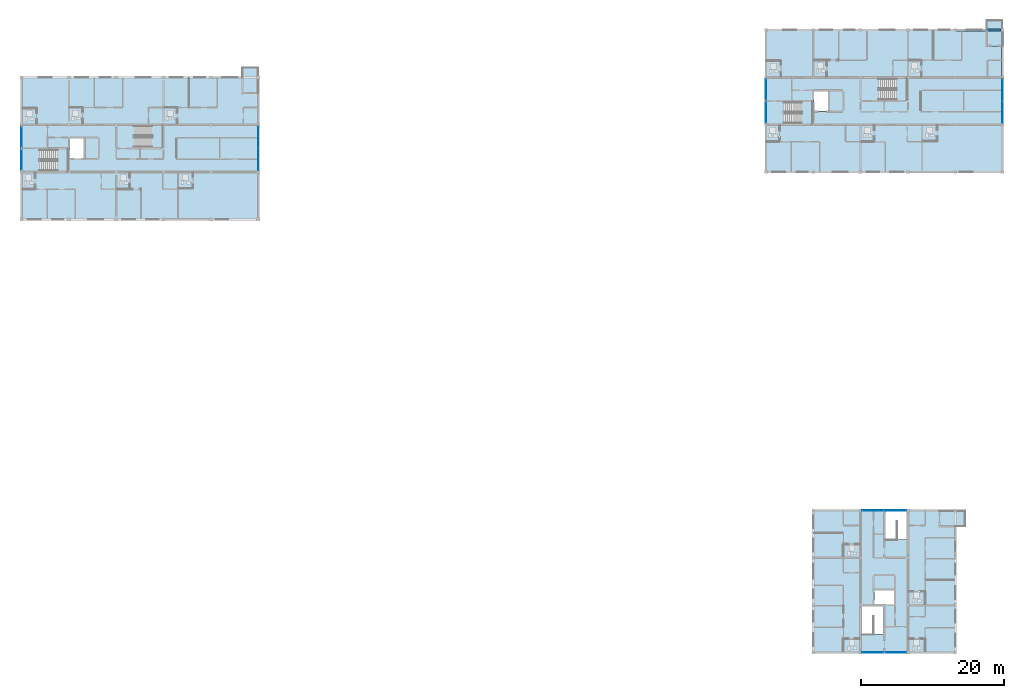
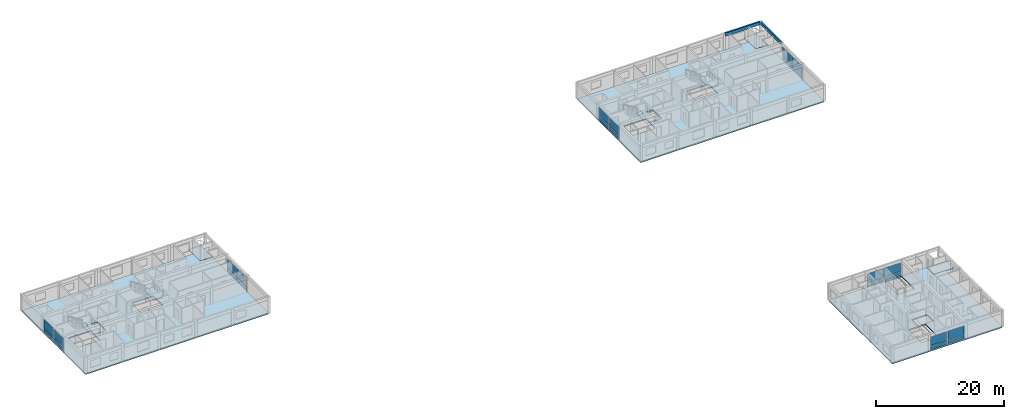
# One storey, part 16 of 34: 24 plates, 10 slabs, 2 beams, 13 elements without a shape of their own.
"""IFC4 building model written with IfcOpenShell, lengths in metres."""

from ifc_helpers import new_model, si_unit, direction, frame, origin, origin_2d, place, context, subcontext, project, spatial, polyline, rectangle, outline, extrude, material, layer, layer_set, material_profile, profile_set, type_object, element, aggregate, save


model = new_model("IFC4")

# Units and contexts
model_context = context("Model", 3, precision=1e-05, world=origin(), true_north=direction((0.0, 1.0)))
body_context = subcontext(model_context, "Body", "Model", "MODEL_VIEW")
ifc_project = project(units=[si_unit("LENGTHUNIT", "METRE"), si_unit("AREAUNIT", "SQUARE_METRE"), si_unit("VOLUMEUNIT", "CUBIC_METRE"), si_unit("PLANEANGLEUNIT", "RADIAN"), si_unit("MASSUNIT", "GRAM", prefix="KILO")], contexts=[model_context])

# Site, building, storey
site_placement = place(None, origin())
site = spatial("IfcSite", under=ifc_project, at=site_placement, CompositionType="ELEMENT")
building_placement = place(site_placement, origin())
building = spatial("IfcBuilding", under=site, at=building_placement, Name="Kernevlak Ridge Housing Community", CompositionType="ELEMENT")
storey_placement = place(building_placement, frame((0.0, 0.0, 40.39990234375)))
storey = spatial("IfcBuildingStorey", under=building, at=storey_placement, Name="L12", CompositionType="ELEMENT", Elevation=40.39990234375)

# Beams
ifc_material_1 = material(Name="Concrete C35/45", Category="concrete")
ifc_material_profile_1 = material_profile(ifc_material_1, rectangle(XDim=0.300048828125, YDim=0.550048828125, at=origin_2d()), Name="RC 300x550")
ifc_profile_set_1 = profile_set([ifc_material_profile_1], Name="Concrete C35/45")
beam_type_1 = type_object("IfcBeamType", Name="SP-01", PredefinedType="SPANDREL", material=ifc_profile_set_1)
beam_1_placement = place(storey_placement, frame((152.39990234375, 96.0, 2.925048828125), z_axis=(0.0, 1.0, 0.0), x_axis=(-1.0, 0.0, 0.0)))
element("IfcBeam", 1, at=beam_1_placement, inside=storey, type_object=beam_type_1, Name="Beam SP-01 L12 914", PredefinedType="SPANDREL", context=body_context, shape_type="SweptSolid", body=[
    extrude(rectangle(XDim=0.300048828125, YDim=0.550048828125, at=origin_2d()), origin(), (0.0, 0.0, 1.0), 6.199951171875),
])
ifc_material_profile_2 = material_profile(ifc_material_1, rectangle(XDim=0.300048828125, YDim=0.60009765625, at=origin_2d()), Name="RC 300x600")
ifc_profile_set_2 = profile_set([ifc_material_profile_2], Name="Concrete C35/45")
beam_type_2 = type_object("IfcBeamType", Name="SP-02", PredefinedType="SPANDREL", material=ifc_profile_set_2)
beam_2_placement = place(storey_placement, frame((146.0, 102.39990234375, 2.900146484375), z_axis=(1.0, 0.0, 0.0), x_axis=(0.0, 1.0, 0.0)))
element("IfcBeam", 2, at=beam_2_placement, inside=storey, type_object=beam_type_2, Name="Beam SP-02 L12 908", PredefinedType="SPANDREL", context=body_context, shape_type="SweptSolid", body=[
    extrude(rectangle(XDim=0.300048828125, YDim=0.60009765625, at=origin_2d()), origin(), (0.0, 0.0, 1.0), 6.199951171875),
])

# Curtain wall, plate
ifc_material_2 = material(Name="Aluminium EN AW-6060 anodised and laminated glass", Category="aluminium")
curtain_wall_type_1 = type_object("IfcCurtainWallType", Name="CW-01", PredefinedType="NOTDEFINED", material=ifc_material_2)
curtain_wall_1_placement = place(storey_placement, origin())
curtain_wall_1 = element("IfcCurtainWall", 3, at=curtain_wall_1_placement, inside=storey, type_object=curtain_wall_type_1, Name="Curtain wall CW-01 CW-L12-037", PredefinedType="NOTDEFINED")
ifc_material_3 = material(Name="Solar-control double glazing glass", Category="glass")
ifc_layer_1 = layer(ifc_material_3, 0.02392578125, Name="Solar-control double glazing glass")
ifc_layer_set_1 = layer_set([ifc_layer_1], Name="Solar-control double glazing glass")
plate_type_1 = type_object("IfcPlateType", Name="CP-01", PredefinedType="CURTAIN_PANEL", material=ifc_layer_set_1)
plate_1_placement = place(storey_placement, frame((15.60009765625, 84.3076171875, 0.88037109375), z_axis=(0.0, 0.0, 1.0), x_axis=(0.0, 1.0, 0.0)))
plate_1 = element("IfcPlate", 4, at=plate_1_placement, type_object=plate_type_1, Name="CW-01 panel 1.2", PredefinedType="CURTAIN_PANEL", context=body_context, shape_type="SweptSolid", body=[
    extrude(rectangle(XDim=2.844970703125, YDim=0.02392578125, at=origin_2d()), origin(), (0.0, 0.0, 1.0), 1.659912109375),
])

curtain_wall_type_2 = type_object("IfcCurtainWallType", Name="CW-07", PredefinedType="NOTDEFINED", material=ifc_material_2)
curtain_wall_2_placement = place(storey_placement, origin())
curtain_wall_2 = element("IfcCurtainWall", 5, at=curtain_wall_2_placement, inside=storey, type_object=curtain_wall_type_2, Name="Curtain wall CW-07 CW-L12-038", PredefinedType="NOTDEFINED")
plate_2_placement = place(storey_placement, frame((15.60009765625, 87.492431640625, 0.88232421875), z_axis=(0.0, 0.0, 1.0), x_axis=(0.0, 1.0, 0.0)))
plate_2 = element("IfcPlate", 6, at=plate_2_placement, type_object=plate_type_1, Name="CW-07 panel 1.2", PredefinedType="CURTAIN_PANEL", context=body_context, shape_type="SweptSolid", body=[
    extrude(rectangle(XDim=2.8349609375, YDim=0.02392578125, at=origin_2d()), origin(), (0.0, 0.0, 1.0), 1.652587890625),
])

# Curtain wall, plates
curtain_wall_type_3 = type_object("IfcCurtainWallType", Name="CW-10", PredefinedType="NOTDEFINED", material=ifc_material_2)
curtain_wall_3_placement = place(storey_placement, origin())
curtain_wall_3 = element("IfcCurtainWall", 7, at=curtain_wall_3_placement, inside=storey, type_object=curtain_wall_type_3, Name="Curtain wall CW-10 CW-L12-039", PredefinedType="NOTDEFINED")
plate_3_placement = place(storey_placement, frame((48.60009765625, 84.376220703125, 0.877685546875), z_axis=(0.0, 0.0, 1.0), x_axis=(0.0, 1.0, 0.0)))
plate_3 = element("IfcPlate", 8, at=plate_3_placement, type_object=plate_type_1, Name="CW-10 panel 1.2", PredefinedType="CURTAIN_PANEL", context=body_context, shape_type="SweptSolid", body=[
    extrude(rectangle(XDim=2.992431640625, YDim=0.02392578125, at=origin_2d()), origin(), (0.0, 0.0, 1.0), 1.66748046875),
])
plate_4_placement = place(storey_placement, frame((48.60009765625, 87.423828125, 0.877685546875), z_axis=(0.0, 0.0, 1.0), x_axis=(0.0, 1.0, 0.0)))
plate_4 = element("IfcPlate", 9, at=plate_4_placement, type_object=plate_type_1, Name="CW-10 panel 2.2", PredefinedType="CURTAIN_PANEL", context=body_context, shape_type="SweptSolid", body=[
    extrude(rectangle(XDim=2.992431640625, YDim=0.02392578125, at=origin_2d()), origin(), (0.0, 0.0, 1.0), 1.66748046875),
])

# Curtain wall, plate
curtain_wall_type_4 = type_object("IfcCurtainWallType", Name="CW-04", PredefinedType="NOTDEFINED", material=ifc_material_2)
curtain_wall_4_placement = place(storey_placement, origin())
curtain_wall_4 = element("IfcCurtainWall", 10, at=curtain_wall_4_placement, inside=storey, type_object=curtain_wall_type_4, Name="Curtain wall CW-04 CW-L12-091", PredefinedType="NOTDEFINED")
plate_5_placement = place(storey_placement, frame((119.39990234375, 90.89501953125, 0.88037109375), z_axis=(0.0, 0.0, 1.0), x_axis=(0.0, 1.0, 0.0)))
plate_5 = element("IfcPlate", 11, at=plate_5_placement, type_object=plate_type_1, Name="CW-04 panel 1.2", PredefinedType="CURTAIN_PANEL", context=body_context, shape_type="SweptSolid", body=[
    extrude(rectangle(XDim=2.8701171875, YDim=0.02392578125, at=origin_2d()), origin(), (0.0, 0.0, 1.0), 1.659912109375),
])

curtain_wall_5_placement = place(storey_placement, origin())
curtain_wall_5 = element("IfcCurtainWall", 12, at=curtain_wall_5_placement, inside=storey, type_object=curtain_wall_type_3, Name="Curtain wall CW-10 CW-L12-092", PredefinedType="NOTDEFINED")
plate_6_placement = place(storey_placement, frame((119.39990234375, 94.10498046875, 0.88232421875), z_axis=(0.0, 0.0, 1.0), x_axis=(0.0, 1.0, 0.0)))
plate_6 = element("IfcPlate", 13, at=plate_6_placement, type_object=plate_type_1, Name="CW-10 panel 1.2", PredefinedType="CURTAIN_PANEL", context=body_context, shape_type="SweptSolid", body=[
    extrude(rectangle(XDim=2.860107421875, YDim=0.02392578125, at=origin_2d()), origin(), (0.0, 0.0, 1.0), 1.652587890625),
])

# Curtain wall, plates
curtain_wall_type_5 = type_object("IfcCurtainWallType", Name="CW-12", PredefinedType="NOTDEFINED", material=ifc_material_2)
curtain_wall_6_placement = place(storey_placement, origin())
curtain_wall_6 = element("IfcCurtainWall", 14, at=curtain_wall_6_placement, inside=storey, type_object=curtain_wall_type_5, Name="Curtain wall CW-12 CW-L12-093", PredefinedType="NOTDEFINED")
plate_7_placement = place(storey_placement, frame((152.39990234375, 90.9638671875, 0.877685546875), z_axis=(0.0, 0.0, 1.0), x_axis=(0.0, 1.0, 0.0)))
plate_7 = element("IfcPlate", 15, at=plate_7_placement, type_object=plate_type_1, Name="CW-12 panel 1.2", PredefinedType="CURTAIN_PANEL", context=body_context, shape_type="SweptSolid", body=[
    extrude(rectangle(XDim=3.017578125, YDim=0.02392578125, at=origin_2d()), origin(), (0.0, 0.0, 1.0), 1.66748046875),
])
plate_8_placement = place(storey_placement, frame((152.39990234375, 94.0361328125, 0.877685546875), z_axis=(0.0, 0.0, 1.0), x_axis=(0.0, 1.0, 0.0)))
plate_8 = element("IfcPlate", 16, at=plate_8_placement, type_object=plate_type_1, Name="CW-12 panel 2.2", PredefinedType="CURTAIN_PANEL", context=body_context, shape_type="SweptSolid", body=[
    extrude(rectangle(XDim=3.017578125, YDim=0.02392578125, at=origin_2d()), origin(), (0.0, 0.0, 1.0), 1.66748046875),
])

# Curtain wall, plate
curtain_wall_7_placement = place(storey_placement, origin())
curtain_wall_7 = element("IfcCurtainWall", 17, at=curtain_wall_7_placement, inside=storey, type_object=curtain_wall_type_2, Name="Curtain wall CW-07 CW-L12-136", PredefinedType="NOTDEFINED")
plate_9_placement = place(storey_placement, frame((134.294921875, 15.60009765625, 0.88037109375), z_axis=(0.0, 0.0, 1.0), x_axis=(1.0, 0.0, 0.0)))
plate_9 = element("IfcPlate", 18, at=plate_9_placement, type_object=plate_type_1, Name="CW-07 panel 1.2", PredefinedType="CURTAIN_PANEL", context=body_context, shape_type="SweptSolid", body=[
    extrude(rectangle(XDim=2.8701171875, YDim=0.02392578125, at=origin_2d()), origin(), (0.0, 0.0, 1.0), 1.659912109375),
])

curtain_wall_type_6 = type_object("IfcCurtainWallType", Name="CW-13", PredefinedType="NOTDEFINED", material=ifc_material_2)
curtain_wall_8_placement = place(storey_placement, origin())
curtain_wall_8 = element("IfcCurtainWall", 19, at=curtain_wall_8_placement, inside=storey, type_object=curtain_wall_type_6, Name="Curtain wall CW-13 CW-L12-137", PredefinedType="NOTDEFINED")
plate_10_placement = place(storey_placement, frame((137.5048828125, 15.60009765625, 0.88232421875), z_axis=(0.0, 0.0, 1.0), x_axis=(1.0, 0.0, 0.0)))
plate_10 = element("IfcPlate", 20, at=plate_10_placement, type_object=plate_type_1, Name="CW-13 panel 1.2", PredefinedType="CURTAIN_PANEL", context=body_context, shape_type="SweptSolid", body=[
    extrude(rectangle(XDim=2.860107421875, YDim=0.02392578125, at=origin_2d()), origin(), (0.0, 0.0, 1.0), 1.652587890625),
])

# Curtain wall, plates
curtain_wall_type_7 = type_object("IfcCurtainWallType", Name="CW-14", PredefinedType="NOTDEFINED", material=ifc_material_2)
curtain_wall_9_placement = place(storey_placement, origin())
curtain_wall_9 = element("IfcCurtainWall", 21, at=curtain_wall_9_placement, inside=storey, type_object=curtain_wall_type_7, Name="Curtain wall CW-14 CW-L12-138", PredefinedType="NOTDEFINED")
plate_11_placement = place(storey_placement, frame((134.36376953125, 35.39990234375, 0.877685546875), z_axis=(0.0, 0.0, 1.0), x_axis=(1.0, 0.0, 0.0)))
plate_11 = element("IfcPlate", 22, at=plate_11_placement, type_object=plate_type_1, Name="CW-14 panel 1.2", PredefinedType="CURTAIN_PANEL", context=body_context, shape_type="SweptSolid", body=[
    extrude(rectangle(XDim=3.017578125, YDim=0.02392578125, at=origin_2d()), origin(), (0.0, 0.0, 1.0), 1.66748046875),
])
plate_12_placement = place(storey_placement, frame((137.436279296875, 35.39990234375, 0.877685546875), z_axis=(0.0, 0.0, 1.0), x_axis=(1.0, 0.0, 0.0)))
plate_12 = element("IfcPlate", 23, at=plate_12_placement, type_object=plate_type_1, Name="CW-14 panel 2.2", PredefinedType="CURTAIN_PANEL", context=body_context, shape_type="SweptSolid", body=[
    extrude(rectangle(XDim=3.017578125, YDim=0.02392578125, at=origin_2d()), origin(), (0.0, 0.0, 1.0), 1.66748046875),
])

# Plate
ifc_material_4 = material(Name="Aluminium EN AW-5005 enamelled panel", Category="aluminium")
ifc_layer_2 = layer(ifc_material_4, 0.033935546875, Name="Aluminium EN AW-5005 enamelled panel")
ifc_layer_set_2 = layer_set([ifc_layer_2], Name="Aluminium EN AW-5005 enamelled panel")
plate_type_2 = type_object("IfcPlateType", Name="CP-03", PredefinedType="CURTAIN_PANEL", material=ifc_layer_set_2)
plate_13_placement = place(storey_placement, frame((48.60009765625, 84.376220703125, 0.05517578125), z_axis=(0.0, 0.0, 1.0), x_axis=(0.0, 1.0, 0.0)))
plate_13 = element("IfcPlate", 24, at=plate_13_placement, type_object=plate_type_2, Name="CW-10 panel 1.1", PredefinedType="CURTAIN_PANEL", context=body_context, shape_type="SweptSolid", body=[
    extrude(rectangle(XDim=2.992431640625, YDim=0.033935546875, at=origin_2d()), origin(), (0.0, 0.0, 1.0), 0.767578125),
])

plate_14_placement = place(storey_placement, frame((48.60009765625, 87.423828125, 0.05517578125), z_axis=(0.0, 0.0, 1.0), x_axis=(0.0, 1.0, 0.0)))
plate_14 = element("IfcPlate", 25, at=plate_14_placement, type_object=plate_type_2, Name="CW-10 panel 2.1", PredefinedType="CURTAIN_PANEL", context=body_context, shape_type="SweptSolid", body=[
    extrude(rectangle(XDim=2.992431640625, YDim=0.033935546875, at=origin_2d()), origin(), (0.0, 0.0, 1.0), 0.767578125),
])

aggregate(curtain_wall_3, [plate_13, plate_3, plate_14, plate_4])

plate_15_placement = place(storey_placement, frame((119.39990234375, 94.10498046875, 0.065185546875), z_axis=(0.0, 0.0, 1.0), x_axis=(0.0, 1.0, 0.0)))
plate_15 = element("IfcPlate", 26, at=plate_15_placement, type_object=plate_type_2, Name="CW-10 panel 1.1", PredefinedType="CURTAIN_PANEL", context=body_context, shape_type="SweptSolid", body=[
    extrude(rectangle(XDim=2.860107421875, YDim=0.033935546875, at=origin_2d()), origin(), (0.0, 0.0, 1.0), 0.75244140625),
])

aggregate(curtain_wall_5, [plate_15, plate_6])

plate_16_placement = place(storey_placement, frame((134.294921875, 15.60009765625, 0.06005859375), z_axis=(0.0, 0.0, 1.0), x_axis=(1.0, 0.0, 0.0)))
plate_16 = element("IfcPlate", 27, at=plate_16_placement, type_object=plate_type_2, Name="CW-07 panel 1.1", PredefinedType="CURTAIN_PANEL", context=body_context, shape_type="SweptSolid", body=[
    extrude(rectangle(XDim=2.8701171875, YDim=0.033935546875, at=origin_2d()), origin(), (0.0, 0.0, 1.0), 0.760009765625),
])

aggregate(curtain_wall_7, [plate_16, plate_9])

ifc_layer_3 = layer(ifc_material_4, 0.0380859375, Name="Aluminium EN AW-5005 enamelled panel")
ifc_layer_set_3 = layer_set([ifc_layer_3], Name="Aluminium EN AW-5005 enamelled panel")
plate_type_3 = type_object("IfcPlateType", Name="CP-04", PredefinedType="CURTAIN_PANEL", material=ifc_layer_set_3)
plate_17_placement = place(storey_placement, frame((152.39990234375, 90.9638671875, 0.05517578125), z_axis=(0.0, 0.0, 1.0), x_axis=(0.0, 1.0, 0.0)))
plate_17 = element("IfcPlate", 28, at=plate_17_placement, type_object=plate_type_3, Name="CW-12 panel 1.1", PredefinedType="CURTAIN_PANEL", context=body_context, shape_type="SweptSolid", body=[
    extrude(rectangle(XDim=3.017578125, YDim=0.0380859375, at=origin_2d()), origin(), (0.0, 0.0, 1.0), 0.767578125),
])

plate_18_placement = place(storey_placement, frame((152.39990234375, 94.0361328125, 0.05517578125), z_axis=(0.0, 0.0, 1.0), x_axis=(0.0, 1.0, 0.0)))
plate_18 = element("IfcPlate", 29, at=plate_18_placement, type_object=plate_type_3, Name="CW-12 panel 2.1", PredefinedType="CURTAIN_PANEL", context=body_context, shape_type="SweptSolid", body=[
    extrude(rectangle(XDim=3.017578125, YDim=0.0380859375, at=origin_2d()), origin(), (0.0, 0.0, 1.0), 0.767578125),
])

aggregate(curtain_wall_6, [plate_17, plate_7, plate_18, plate_8])

plate_19_placement = place(storey_placement, frame((137.5048828125, 15.60009765625, 0.065185546875), z_axis=(0.0, 0.0, 1.0), x_axis=(1.0, 0.0, 0.0)))
plate_19 = element("IfcPlate", 30, at=plate_19_placement, type_object=plate_type_3, Name="CW-13 panel 1.1", PredefinedType="CURTAIN_PANEL", context=body_context, shape_type="SweptSolid", body=[
    extrude(rectangle(XDim=2.860107421875, YDim=0.0380859375, at=origin_2d()), origin(), (0.0, 0.0, 1.0), 0.75244140625),
])

aggregate(curtain_wall_8, [plate_19, plate_10])

ifc_layer_4 = layer(ifc_material_4, 0.0419921875, Name="Aluminium EN AW-5005 enamelled panel")
ifc_layer_set_4 = layer_set([ifc_layer_4], Name="Aluminium EN AW-5005 enamelled panel")
plate_type_4 = type_object("IfcPlateType", Name="CP-05", PredefinedType="CURTAIN_PANEL", material=ifc_layer_set_4)
plate_20_placement = place(storey_placement, frame((134.36376953125, 35.39990234375, 0.05517578125), z_axis=(0.0, 0.0, 1.0), x_axis=(1.0, 0.0, 0.0)))
plate_20 = element("IfcPlate", 31, at=plate_20_placement, type_object=plate_type_4, Name="CW-14 panel 1.1", PredefinedType="CURTAIN_PANEL", context=body_context, shape_type="SweptSolid", body=[
    extrude(rectangle(XDim=3.017578125, YDim=0.0419921875, at=origin_2d()), origin(), (0.0, 0.0, 1.0), 0.767578125),
])

plate_21_placement = place(storey_placement, frame((137.436279296875, 35.39990234375, 0.05517578125), z_axis=(0.0, 0.0, 1.0), x_axis=(1.0, 0.0, 0.0)))
plate_21 = element("IfcPlate", 32, at=plate_21_placement, type_object=plate_type_4, Name="CW-14 panel 2.1", PredefinedType="CURTAIN_PANEL", context=body_context, shape_type="SweptSolid", body=[
    extrude(rectangle(XDim=3.017578125, YDim=0.0419921875, at=origin_2d()), origin(), (0.0, 0.0, 1.0), 0.767578125),
])

aggregate(curtain_wall_9, [plate_20, plate_11, plate_21, plate_12])

ifc_material_5 = material(Name="Aluminium EN AW-5005 insulated panel", Category="aluminium")
ifc_layer_5 = layer(ifc_material_5, 0.0458984375, Name="Aluminium EN AW-5005 insulated panel")
ifc_layer_set_5 = layer_set([ifc_layer_5], Name="Aluminium EN AW-5005 insulated panel")
plate_type_5 = type_object("IfcPlateType", Name="CP-06", PredefinedType="CURTAIN_PANEL", material=ifc_layer_set_5)
plate_22_placement = place(storey_placement, frame((15.60009765625, 84.3076171875, 0.06005859375), z_axis=(0.0, 0.0, 1.0), x_axis=(0.0, 1.0, 0.0)))
plate_22 = element("IfcPlate", 33, at=plate_22_placement, type_object=plate_type_5, Name="CW-01 panel 1.1", PredefinedType="CURTAIN_PANEL", context=body_context, shape_type="SweptSolid", body=[
    extrude(rectangle(XDim=2.844970703125, YDim=0.0458984375, at=origin_2d()), origin(), (0.0, 0.0, 1.0), 0.760009765625),
])

aggregate(curtain_wall_1, [plate_22, plate_1])

ifc_layer_6 = layer(ifc_material_5, 0.050048828125, Name="Aluminium EN AW-5005 insulated panel")
ifc_layer_set_6 = layer_set([ifc_layer_6], Name="Aluminium EN AW-5005 insulated panel")
plate_type_6 = type_object("IfcPlateType", Name="CP-07", PredefinedType="CURTAIN_PANEL", material=ifc_layer_set_6)
plate_23_placement = place(storey_placement, frame((15.60009765625, 87.492431640625, 0.065185546875), z_axis=(0.0, 0.0, 1.0), x_axis=(0.0, 1.0, 0.0)))
plate_23 = element("IfcPlate", 34, at=plate_23_placement, type_object=plate_type_6, Name="CW-07 panel 1.1", PredefinedType="CURTAIN_PANEL", context=body_context, shape_type="SweptSolid", body=[
    extrude(rectangle(XDim=2.8349609375, YDim=0.050048828125, at=origin_2d()), origin(), (0.0, 0.0, 1.0), 0.75244140625),
])

aggregate(curtain_wall_2, [plate_23, plate_2])

plate_24_placement = place(storey_placement, frame((119.39990234375, 90.89501953125, 0.06005859375), z_axis=(0.0, 0.0, 1.0), x_axis=(0.0, 1.0, 0.0)))
plate_24 = element("IfcPlate", 35, at=plate_24_placement, type_object=plate_type_6, Name="CW-04 panel 1.1", PredefinedType="CURTAIN_PANEL", context=body_context, shape_type="SweptSolid", body=[
    extrude(rectangle(XDim=2.8701171875, YDim=0.050048828125, at=origin_2d()), origin(), (0.0, 0.0, 1.0), 0.760009765625),
])

aggregate(curtain_wall_4, [plate_24, plate_5])

# Slabs
ifc_layer_7 = layer(ifc_material_1, 0.199951171875, Name="Concrete C35/45")
ifc_layer_set_7 = layer_set([ifc_layer_7], Name="Concrete C35/45")
slab_type_1 = type_object("IfcSlabType", Name="SL-05", PredefinedType="FLOOR", material=ifc_layer_set_7)
slab_1_placement = place(storey_placement, frame((0.0, 0.0, -0.199951171875)))
element("IfcSlab", 36, at=slab_1_placement, inside=storey, type_object=slab_type_1, Name="Block A L12 corner balcony deck slab", PredefinedType="FLOOR", context=body_context, shape_type="SweptSolid", body=[
    extrude(outline(polyline([(46.39990234375, 93.60009765625), (48.60009765625, 93.60009765625), (48.60009765625, 97.199951171875), (46.39990234375, 97.199951171875), (46.39990234375, 93.60009765625)])), origin(), (0.0, 0.0, 1.0), 0.199951171875),
])
slab_2_placement = place(storey_placement, frame((0.0, 0.0, -0.199951171875)))
element("IfcSlab", 37, at=slab_2_placement, inside=storey, type_object=slab_type_1, Name="Block B L12 corner balcony deck slab", PredefinedType="FLOOR", context=body_context, shape_type="SweptSolid", body=[
    extrude(outline(polyline([(150.199951171875, 100.199951171875), (152.39990234375, 100.199951171875), (152.39990234375, 103.800048828125), (150.199951171875, 103.800048828125), (150.199951171875, 100.199951171875)])), origin(), (0.0, 0.0, 1.0), 0.199951171875),
])
slab_3_placement = place(storey_placement, frame((0.0, 0.0, -0.199951171875)))
element("IfcSlab", 38, at=slab_3_placement, inside=storey, type_object=slab_type_1, Name="Block C L12 corner balcony deck slab", PredefinedType="FLOOR", context=body_context, shape_type="SweptSolid", body=[
    extrude(outline(polyline([(147.199951171875, 33.199951171875), (147.199951171875, 35.39990234375), (143.60009765625, 35.39990234375), (143.60009765625, 33.199951171875), (147.199951171875, 33.199951171875)])), origin(), (0.0, 0.0, 1.0), 0.199951171875),
])

# Stair, slab
stair_type_1 = type_object("IfcStairType", Name="SR-06", PredefinedType="HALF_TURN_STAIR", material=ifc_material_1)
stair_1_placement = place(storey_placement, origin())
stair_1 = element("IfcStair", 39, at=stair_1_placement, inside=storey, type_object=stair_type_1, Name="Stair ST-A1 L12", PredefinedType="HALF_TURN_STAIR")
ifc_layer_8 = layer(ifc_material_1, 0.18994140625, Name="Concrete C35/45")
ifc_layer_set_8 = layer_set([ifc_layer_8], Name="Concrete C35/45")
slab_type_2 = type_object("IfcSlabType", Name="SL-13", PredefinedType="LANDING", material=ifc_layer_set_8)
slab_4_placement = place(storey_placement, frame((0.0, 0.0, 1.41015625)))
slab_4 = element("IfcSlab", 40, at=slab_4_placement, type_object=slab_type_2, Name="SR-06 landing 1", PredefinedType="LANDING", context=body_context, shape_type="SweptSolid", body=[
    extrude(outline(polyline([(20.5400390625, 82.64990234375), (22.14990234375, 82.64990234375), (22.14990234375, 85.85009765625), (20.5400390625, 85.85009765625), (20.5400390625, 82.64990234375)])), origin(), (0.0, 0.0, 1.0), 0.18994140625),
])
aggregate(stair_1, [slab_4])

stair_2_placement = place(storey_placement, origin())
stair_2 = element("IfcStair", 41, at=stair_2_placement, inside=storey, type_object=stair_type_1, Name="Stair ST-A2 L12", PredefinedType="HALF_TURN_STAIR")
slab_5_placement = place(storey_placement, frame((0.0, 0.0, 1.41015625)))
slab_5 = element("IfcSlab", 42, at=slab_5_placement, type_object=slab_type_2, Name="SR-06 landing 1", PredefinedType="LANDING", context=body_context, shape_type="SweptSolid", body=[
    extrude(outline(polyline([(33.739990234375, 85.949951171875), (35.35009765625, 85.949951171875), (35.35009765625, 89.14990234375), (33.739990234375, 89.14990234375), (33.739990234375, 85.949951171875)])), origin(), (0.0, 0.0, 1.0), 0.18994140625),
])
aggregate(stair_2, [slab_5])

stair_type_2 = type_object("IfcStairType", Name="SR-01", PredefinedType="HALF_TURN_STAIR", material=ifc_material_1)
stair_3_placement = place(storey_placement, origin())
stair_3 = element("IfcStair", 43, at=stair_3_placement, inside=storey, type_object=stair_type_2, Name="Stair ST-B1 L12", PredefinedType="HALF_TURN_STAIR")
slab_6_placement = place(storey_placement, frame((0.0, 0.0, 1.41015625)))
slab_6 = element("IfcSlab", 44, at=slab_6_placement, type_object=slab_type_2, Name="SR-01 landing 1", PredefinedType="LANDING", context=body_context, shape_type="SweptSolid", body=[
    extrude(outline(polyline([(124.340087890625, 89.25), (125.949951171875, 89.25), (125.949951171875, 92.449951171875), (124.340087890625, 92.449951171875), (124.340087890625, 89.25)])), origin(), (0.0, 0.0, 1.0), 0.18994140625),
])
aggregate(stair_3, [slab_6])

stair_4_placement = place(storey_placement, origin())
stair_4 = element("IfcStair", 45, at=stair_4_placement, inside=storey, type_object=stair_type_2, Name="Stair ST-B2 L12", PredefinedType="HALF_TURN_STAIR")
slab_7_placement = place(storey_placement, frame((0.0, 0.0, 1.41015625)))
slab_7 = element("IfcSlab", 46, at=slab_7_placement, type_object=slab_type_2, Name="SR-01 landing 1", PredefinedType="LANDING", context=body_context, shape_type="SweptSolid", body=[
    extrude(outline(polyline([(137.5400390625, 92.550048828125), (139.14990234375, 92.550048828125), (139.14990234375, 95.75), (137.5400390625, 95.75), (137.5400390625, 92.550048828125)])), origin(), (0.0, 0.0, 1.0), 0.18994140625),
])
aggregate(stair_4, [slab_7])

# Slabs
ifc_layer_9 = layer(ifc_material_1, 0.22998046875, Name="Concrete C35/45")
ifc_layer_set_9 = layer_set([ifc_layer_9], Name="Concrete C35/45")
slab_type_3 = type_object("IfcSlabType", Name="SL-16", PredefinedType="FLOOR", material=ifc_layer_set_9)
slab_8_placement = place(storey_placement, frame((0.0, 0.0, -0.22998046875)))
element("IfcSlab", 47, at=slab_8_placement, inside=storey, type_object=slab_type_3, Name="Block A level L12 floor slab", PredefinedType="FLOOR", context=body_context, shape_type="SweptSolid", body=[
    extrude(outline(polyline([(15.60009765625, 76.0), (48.60009765625, 76.0), (48.60009765625, 93.60009765625), (46.39990234375, 93.60009765625), (46.39990234375, 95.800048828125), (15.60009765625, 95.800048828125), (15.60009765625, 76.0)]), holes=[polyline([(18.139892578125, 85.75), (22.1201171875, 85.75), (22.1201171875, 82.75), (18.139892578125, 82.75), (18.139892578125, 85.75)]), polyline([(31.340087890625, 89.050048828125), (35.320068359375, 89.050048828125), (35.320068359375, 86.050048828125), (31.340087890625, 86.050048828125), (31.340087890625, 89.050048828125)]), polyline([(22.320068359375, 87.280029296875), (24.280029296875, 87.280029296875), (24.280029296875, 84.52001953125), (22.320068359375, 84.52001953125), (22.320068359375, 87.280029296875)])]), origin(), (0.0, 0.0, 1.0), 0.22998046875),
])
slab_9_placement = place(storey_placement, frame((0.0, 0.0, -0.22998046875)))
element("IfcSlab", 48, at=slab_9_placement, inside=storey, type_object=slab_type_3, Name="Block B level L12 floor slab", PredefinedType="FLOOR", context=body_context, shape_type="SweptSolid", body=[
    extrude(outline(polyline([(119.39990234375, 82.60009765625), (152.39990234375, 82.60009765625), (152.39990234375, 100.199951171875), (150.199951171875, 100.199951171875), (150.199951171875, 102.39990234375), (119.39990234375, 102.39990234375), (119.39990234375, 82.60009765625)]), holes=[polyline([(121.93994140625, 92.35009765625), (125.919921875, 92.35009765625), (125.919921875, 89.35009765625), (121.93994140625, 89.35009765625), (121.93994140625, 92.35009765625)]), polyline([(135.139892578125, 95.64990234375), (139.1201171875, 95.64990234375), (139.1201171875, 92.64990234375), (135.139892578125, 92.64990234375), (135.139892578125, 95.64990234375)]), polyline([(126.1201171875, 93.8798828125), (128.080078125, 93.8798828125), (128.080078125, 91.1201171875), (126.1201171875, 91.1201171875), (126.1201171875, 93.8798828125)])]), origin(), (0.0, 0.0, 1.0), 0.22998046875),
])
slab_10_placement = place(storey_placement, frame((0.0, 0.0, -0.22998046875)))
element("IfcSlab", 49, at=slab_10_placement, inside=storey, type_object=slab_type_3, Name="Block C level L12 floor slab", PredefinedType="FLOOR", context=body_context, shape_type="SweptSolid", body=[
    extrude(outline(polyline([(145.800048828125, 15.60009765625), (145.800048828125, 33.199951171875), (143.60009765625, 33.199951171875), (143.60009765625, 35.39990234375), (126.0, 35.39990234375), (126.0, 15.60009765625), (145.800048828125, 15.60009765625)]), holes=[polyline([(132.75, 18.139892578125), (132.75, 22.1201171875), (135.75, 22.1201171875), (135.75, 18.139892578125), (132.75, 18.139892578125)]), polyline([(136.050048828125, 31.340087890625), (136.050048828125, 35.320068359375), (139.050048828125, 35.320068359375), (139.050048828125, 31.340087890625), (136.050048828125, 31.340087890625)]), polyline([(134.52001953125, 24.280029296875), (137.280029296875, 24.280029296875), (137.280029296875, 22.320068359375), (134.52001953125, 22.320068359375), (134.52001953125, 24.280029296875)])]), origin(), (0.0, 0.0, 1.0), 0.22998046875),
])

save(model, "model.ifc")
